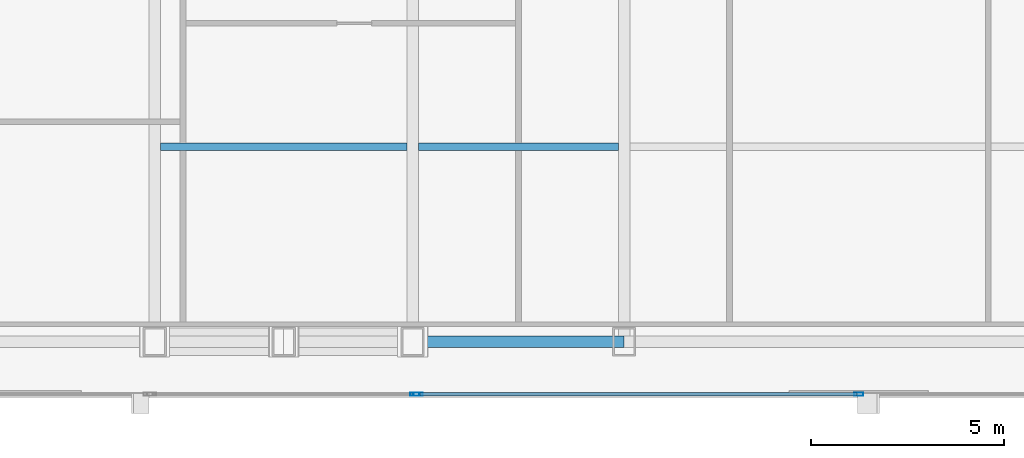
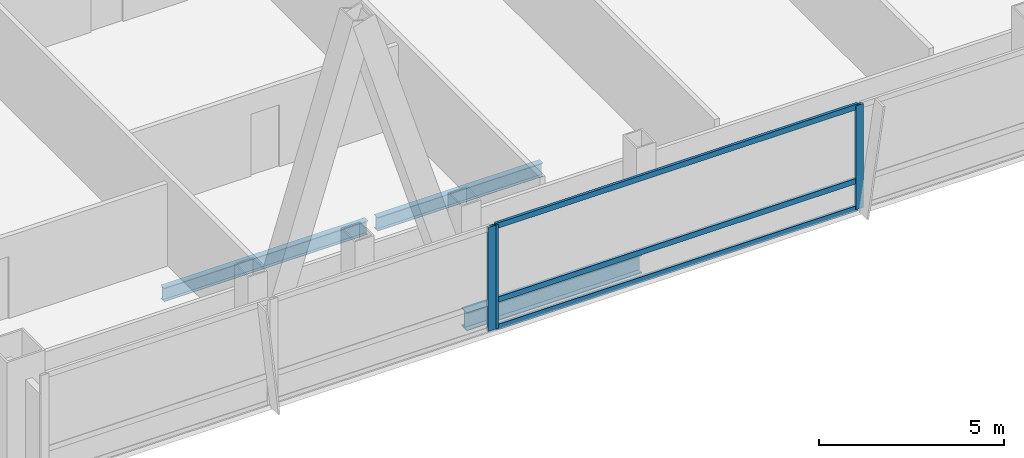
# One storey, part 8 of 32: 6 members, 3 beams, 2 elements without a shape of their own.
"""IFC4 building model written with IfcOpenShell, lengths in metres."""

from ifc_helpers import new_model, si_unit, direction, frame, origin, origin_2d, place, context, subcontext, project, spatial, hollow_rectangle, i_section, extrude, material, material_profile, profile_set, type_object, element, aggregate, save


model = new_model("IFC4")

# Units and contexts
model_context = context("Model", 3, precision=1e-05, world=origin(), true_north=direction((0.0, 1.0)))
body_context = subcontext(model_context, "Body", "Model", "MODEL_VIEW")
ifc_project = project(units=[si_unit("LENGTHUNIT", "METRE"), si_unit("AREAUNIT", "SQUARE_METRE"), si_unit("VOLUMEUNIT", "CUBIC_METRE"), si_unit("PLANEANGLEUNIT", "RADIAN"), si_unit("MASSUNIT", "GRAM", prefix="KILO")], contexts=[model_context])

# Site, building, storey
site_placement = place(None, origin())
site = spatial("IfcSite", under=ifc_project, at=site_placement, CompositionType="ELEMENT")
building_placement = place(site_placement, origin())
building = spatial("IfcBuilding", under=site, at=building_placement, Name="Khoronbel Lancet Exchange", CompositionType="ELEMENT")
storey_placement = place(building_placement, frame((0.0, 0.0, 199.39990234375)))
storey = spatial("IfcBuildingStorey", under=building, at=storey_placement, Name="L50", CompositionType="ELEMENT", Elevation=199.39990234375)

# Beams
ifc_material_1 = material(Name="Steel S355", Category="steel")
ifc_material_profile_1 = material_profile(ifc_material_1, i_section(OverallWidth=0.18994140625, OverallDepth=0.449951171875, WebThickness=0.009521484375, FlangeThickness=0.0146484375, at=origin_2d()), Name="IPE 450")
ifc_profile_set_1 = profile_set([ifc_material_profile_1], Name="Steel S355")
beam_type_1 = type_object("IfcBeamType", Name="BM-BJ4", PredefinedType="JOIST", material=ifc_profile_set_1)
beam_1_placement = place(storey_placement, frame((18.375, 15.199951171875, -0.385009765625), z_axis=(1.0, 0.0, 0.0), x_axis=(0.0, 1.0, 0.0)))
element("IfcBeam", 1, at=beam_1_placement, inside=storey, type_object=beam_type_1, Name="Level L50 secondary composite joist J01", PredefinedType="JOIST", context=body_context, shape_type="SweptSolid", body=[
    extrude(i_section(OverallWidth=0.18994140625, OverallDepth=0.449951171875, WebThickness=0.009521484375, FlangeThickness=0.0146484375, at=origin_2d()), origin(), (0.0, 0.0, 1.0), 6.375),
])
beam_2_placement = place(storey_placement, frame((25.050048828125, 15.199951171875, -0.385009765625), z_axis=(1.0, 0.0, 0.0), x_axis=(0.0, 1.0, 0.0)))
element("IfcBeam", 2, at=beam_2_placement, inside=storey, type_object=beam_type_1, Name="Level L50 secondary composite joist J02", PredefinedType="JOIST", context=body_context, shape_type="SweptSolid", body=[
    extrude(i_section(OverallWidth=0.18994140625, OverallDepth=0.449951171875, WebThickness=0.009521484375, FlangeThickness=0.0146484375, at=origin_2d()), origin(), (0.0, 0.0, 1.0), 5.175048828125),
])
ifc_material_profile_2 = material_profile(ifc_material_1, i_section(OverallWidth=0.300048828125, OverallDepth=0.60009765625, WebThickness=0.015380859375, FlangeThickness=0.030029296875, at=origin_2d()), Name="HEB 600")
ifc_profile_set_2 = profile_set([ifc_material_profile_2], Name="Steel S355")
beam_type_2 = type_object("IfcBeamType", Name="BM-BSP2", PredefinedType="SPANDREL", material=ifc_profile_set_2)
beam_3_placement = place(storey_placement, frame((24.89990234375, 10.14990234375, -0.4599609375), z_axis=(1.0, 0.0, 0.0), x_axis=(0.0, 1.0, 0.0)))
element("IfcBeam", 3, at=beam_3_placement, inside=storey, type_object=beam_type_2, Name="Level L50 perimeter spandrel beam SP04", PredefinedType="SPANDREL", context=body_context, shape_type="SweptSolid", body=[
    extrude(i_section(OverallWidth=0.300048828125, OverallDepth=0.60009765625, WebThickness=0.015380859375, FlangeThickness=0.030029296875, at=origin_2d()), origin(), (0.0, 0.0, 1.0), 5.47509765625),
])

# Curtain wall, member
ifc_material_2 = material(Name="Low-E Solar Control Insulating Glass", Category="glass")
curtain_wall_type = type_object("IfcCurtainWallType", Name="CW-3", PredefinedType="NOTDEFINED", material=ifc_material_2)
curtain_wall_1_placement = place(storey_placement, origin())
curtain_wall_1 = element("IfcCurtainWall", 4, at=curtain_wall_1_placement, inside=storey, type_object=curtain_wall_type, Name="Unitised curtain wall CW-L50-SWB", PredefinedType="NOTDEFINED")
ifc_material_3 = material(Name="Bronze-Anodised Aluminium 6063-T6", Category="aluminium")
ifc_material_profile_3 = material_profile(ifc_material_3, hollow_rectangle(XDim=0.0849609375, YDim=0.239990234375, WallThickness=0.006103515625, at=origin_2d()), Name="ALU MULLION 85x240")
ifc_profile_set_3 = profile_set([ifc_material_profile_3], Name="Bronze-Anodised Aluminium 6063-T6")
member_type_1 = type_object("IfcMemberType", Name="MEM-CWM1", PredefinedType="MULLION", material=ifc_profile_set_3)
member_1_placement = place(storey_placement, frame((24.95751953125, 8.7900390625, 0.0), z_axis=(0.0, 0.0, 1.0), x_axis=(0.0, 1.0, 0.0)))
member_1 = element("IfcMember", 5, at=member_1_placement, type_object=member_type_1, Name="CW3 mullion 2", PredefinedType="MULLION", context=body_context, shape_type="SweptSolid", body=[
    extrude(hollow_rectangle(XDim=0.0849609375, YDim=0.239990234375, WallThickness=0.006103515625, at=origin_2d()), origin(), (0.0, 0.0, 1.0), 3.440185546875),
])
aggregate(curtain_wall_1, [member_1])

# Curtain wall, members
curtain_wall_2_placement = place(storey_placement, origin())
curtain_wall_2 = element("IfcCurtainWall", 6, at=curtain_wall_2_placement, inside=storey, type_object=curtain_wall_type, Name="Unitised curtain wall CW-L50-SCV", PredefinedType="NOTDEFINED")
member_2_placement = place(storey_placement, frame((25.04248046875, 8.7900390625, 0.0), z_axis=(0.0, 0.0, 1.0), x_axis=(0.0, 1.0, 0.0)))
member_2 = element("IfcMember", 7, at=member_2_placement, type_object=member_type_1, Name="CW3 mullion 1", PredefinedType="MULLION", context=body_context, shape_type="SweptSolid", body=[
    extrude(hollow_rectangle(XDim=0.0849609375, YDim=0.239990234375, WallThickness=0.006103515625, at=origin_2d()), origin(), (0.0, 0.0, 1.0), 3.440185546875),
])
member_3_placement = place(storey_placement, frame((36.449951171875, 8.7900390625, 0.0), z_axis=(0.0, 0.0, 1.0), x_axis=(0.0, 1.0, 0.0)))
member_3 = element("IfcMember", 8, at=member_3_placement, type_object=member_type_1, Name="CW3 mullion 2", PredefinedType="MULLION", context=body_context, shape_type="SweptSolid", body=[
    extrude(hollow_rectangle(XDim=0.0849609375, YDim=0.239990234375, WallThickness=0.006103515625, at=origin_2d()), origin(), (0.0, 0.0, 1.0), 3.440185546875),
])
ifc_material_profile_4 = material_profile(ifc_material_3, hollow_rectangle(XDim=0.0849609375, YDim=0.179931640625, WallThickness=0.0048828125, at=origin_2d()), Name="ALU TRANSOM 85x180")
ifc_profile_set_4 = profile_set([ifc_material_profile_4], Name="Bronze-Anodised Aluminium 6063-T6")
member_type_2 = type_object("IfcMemberType", Name="MEM-CWT1", PredefinedType="USERDEFINED", material=ifc_profile_set_4)
member_4_placement = place(storey_placement, frame((25.0849609375, 8.7900390625, 0.04248046875), z_axis=(1.0, 0.0, 0.0), x_axis=(0.0, 1.0, 0.0)))
member_4 = element("IfcMember", 9, at=member_4_placement, type_object=member_type_2, Name="CW3 transom 1.1", ObjectType="TRANSOM", PredefinedType="USERDEFINED", context=body_context, shape_type="SweptSolid", body=[
    extrude(hollow_rectangle(XDim=0.0849609375, YDim=0.179931640625, WallThickness=0.0048828125, at=origin_2d()), origin(), (0.0, 0.0, 1.0), 11.322509765625),
])
member_5_placement = place(storey_placement, frame((25.0849609375, 8.7900390625, 0.9501953125), z_axis=(1.0, 0.0, 0.0), x_axis=(0.0, 1.0, 0.0)))
member_5 = element("IfcMember", 10, at=member_5_placement, type_object=member_type_2, Name="CW3 transom 1.2", ObjectType="TRANSOM", PredefinedType="USERDEFINED", context=body_context, shape_type="SweptSolid", body=[
    extrude(hollow_rectangle(XDim=0.0849609375, YDim=0.179931640625, WallThickness=0.0048828125, at=origin_2d()), origin(), (0.0, 0.0, 1.0), 11.322509765625),
])
member_6_placement = place(storey_placement, frame((25.0849609375, 8.7900390625, 3.397705078125), z_axis=(1.0, 0.0, 0.0), x_axis=(0.0, 1.0, 0.0)))
member_6 = element("IfcMember", 11, at=member_6_placement, type_object=member_type_2, Name="CW3 transom 1.3", ObjectType="TRANSOM", PredefinedType="USERDEFINED", context=body_context, shape_type="SweptSolid", body=[
    extrude(hollow_rectangle(XDim=0.0849609375, YDim=0.179931640625, WallThickness=0.0048828125, at=origin_2d()), origin(), (0.0, 0.0, 1.0), 11.322509765625),
])
aggregate(curtain_wall_2, [member_2, member_3, member_4, member_5, member_6])

save(model, "model.ifc")
